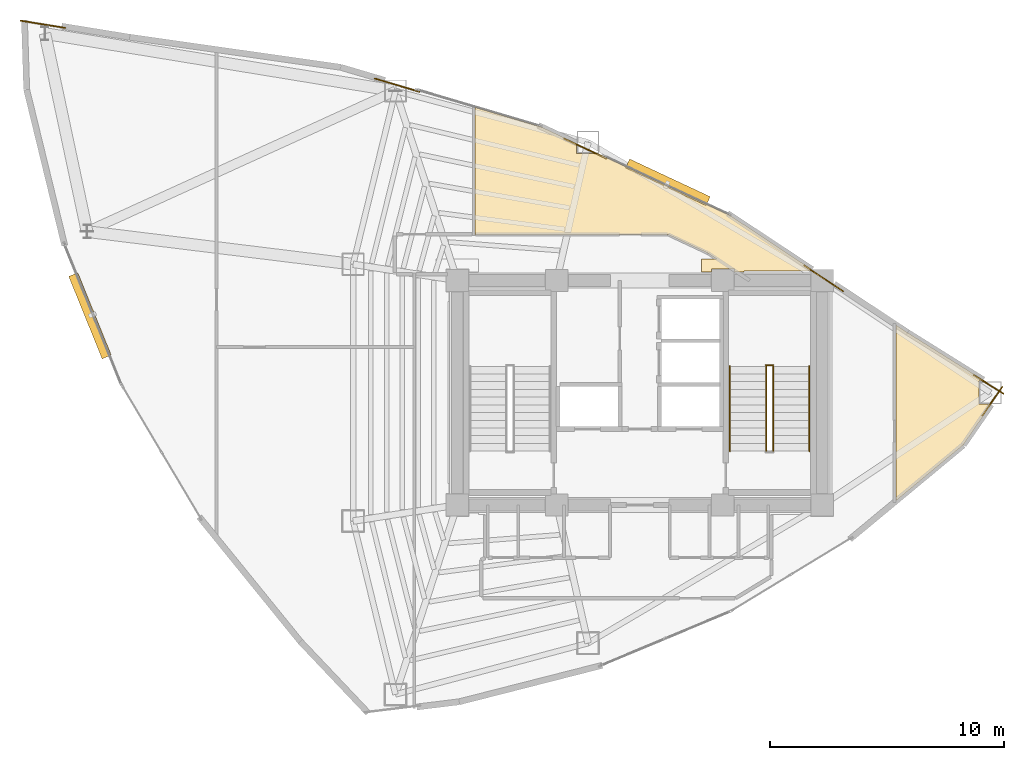
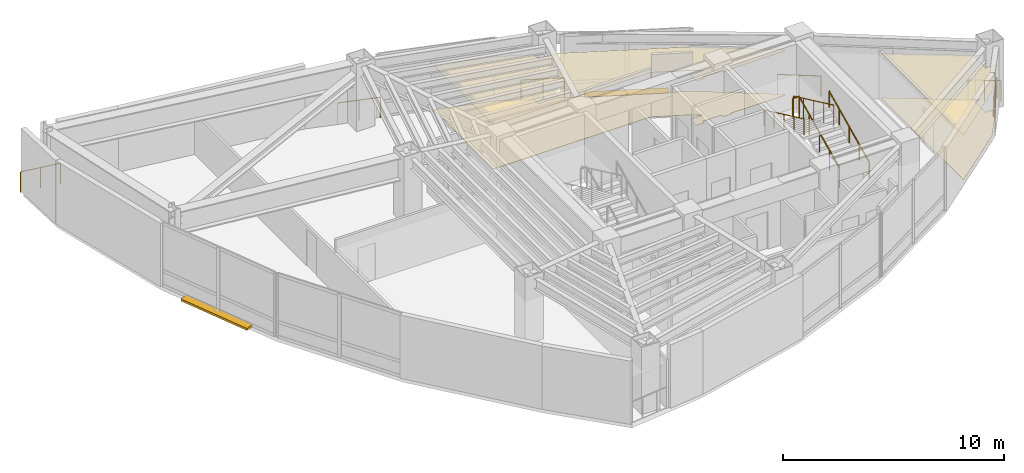
# One storey, part 16 of 16: 11 railings, 4 coverings, 2 shading devices.
"""IFC4 building model written with IfcOpenShell, lengths in metres."""

from ifc_helpers import new_model, si_unit, direction, frame, origin, origin_2d, place, context, subcontext, project, spatial, polyline, rectangle, circle, outline, extrude, material, layer, layer_set, type_object, element, save


model = new_model("IFC4")

# Units and contexts
model_context = context("Model", 3, precision=1e-05, world=origin(), true_north=direction((0.0, 1.0)))
body_context = subcontext(model_context, "Body", "Model", "MODEL_VIEW")
ifc_project = project(units=[si_unit("LENGTHUNIT", "METRE"), si_unit("AREAUNIT", "SQUARE_METRE"), si_unit("VOLUMEUNIT", "CUBIC_METRE"), si_unit("PLANEANGLEUNIT", "RADIAN"), si_unit("MASSUNIT", "GRAM", prefix="KILO")], contexts=[model_context])

# Site, building, storey
site_placement = place(None, origin())
site = spatial("IfcSite", under=ifc_project, at=site_placement, CompositionType="ELEMENT")
building_placement = place(site_placement, origin())
building = spatial("IfcBuilding", under=site, at=building_placement, Name="Menara Vayukalpa", CompositionType="ELEMENT")
storey_placement = place(building_placement, frame((0.0, 0.0, 195.239990234375)))
storey = spatial("IfcBuildingStorey", under=building, at=storey_placement, Name="L49", CompositionType="ELEMENT", Elevation=195.239990234375)

# Coverings
ifc_material_1 = material(Name="Mineral Fibre Acoustic Ceiling Tile", Category="masonry")
ifc_layer_1 = layer(ifc_material_1, 0.02490234375)
ifc_layer_set_1 = layer_set([ifc_layer_1], Name="Mineral Fibre Acoustic Ceiling Tile")
covering_type_1 = type_object("IfcCoveringType", Name="COV-CLG1", PredefinedType="CEILING", material=ifc_layer_set_1)
covering_1_placement = place(storey_placement, frame((0.0, 0.0, 2.449951171875)))
element("IfcCovering", 1, at=covering_1_placement, inside=storey, type_object=covering_type_1, Name="L49 Corporate Training Classroom Acoustic Ceiling", PredefinedType="CEILING", context=body_context, shape_type="SweptSolid", body=[
    extrude(outline(polyline([(37.04345703125, 24.5693359375), (40.373779296875, 22.489990234375), (40.1005859375, 22.489990234375), (40.1005859375, 21.510009765625), (40.635009765625, 21.510009765625), (39.4326171875, 19.765869140625), (39.431884765625, 19.76513671875), (39.431396484375, 19.764404296875), (39.4306640625, 19.763916015625), (36.576416015625, 17.396728515625), (36.57568359375, 17.396240234375), (36.57470703125, 17.395751953125), (36.573974609375, 17.395263671875), (36.572998046875, 17.39501953125), (36.572021484375, 17.394775390625), (36.571044921875, 17.39453125), (36.570068359375, 17.39453125), (36.569091796875, 17.39453125), (36.568115234375, 17.394775390625), (36.567138671875, 17.39501953125), (36.566162109375, 17.395263671875), (36.565185546875, 17.395751953125), (36.564453125, 17.396240234375), (36.563720703125, 17.396728515625), (36.56298828125, 17.3974609375), (36.562255859375, 17.398193359375), (36.561767578125, 17.39892578125), (36.561279296875, 17.39990234375), (36.560791015625, 17.400634765625), (36.560302734375, 17.401611328125), (36.560302734375, 17.402587890625), (36.56005859375, 17.403564453125), (36.56005859375, 17.404541015625), (36.56005859375, 24.870361328125), (36.56005859375, 24.871337890625), (36.560302734375, 24.872314453125), (36.560302734375, 24.873291015625), (36.560791015625, 24.8740234375), (36.561279296875, 24.875), (36.561767578125, 24.875732421875), (36.562255859375, 24.876708984375), (36.56298828125, 24.87744140625), (36.563720703125, 24.8779296875), (36.564453125, 24.878662109375), (36.565185546875, 24.879150390625), (36.566162109375, 24.87939453125), (36.567138671875, 24.8798828125), (36.568115234375, 24.880126953125), (36.569091796875, 24.880126953125), (36.570068359375, 24.88037109375), (36.57080078125, 24.88037109375), (36.572021484375, 24.880126953125), (36.572998046875, 24.8798828125), (36.57373046875, 24.879638671875), (36.57470703125, 24.879150390625), (36.575439453125, 24.878662109375), (37.04296875, 24.569580078125), (37.04345703125, 24.5693359375), (37.04345703125, 24.5693359375)])), origin(), (0.0, 0.0, 1.0), 0.025146484375),
])
covering_2_placement = place(storey_placement, frame((0.0, 0.0, 2.449951171875)))
element("IfcCovering", 2, at=covering_2_placement, inside=storey, type_object=covering_type_1, Name="L49 Executive Boardroom Acoustic Ceiling", PredefinedType="CEILING", context=body_context, shape_type="SweptSolid", body=[
    extrude(outline(polyline([(28.525390625, 27.95751953125), (28.515869140625, 27.962890625), (26.80517578125, 28.76318359375), (26.7978515625, 28.76611328125), (26.79052734375, 28.768310546875), (26.782958984375, 28.76953125), (26.77490234375, 28.77001953125), (18.570068359375, 28.77001953125), (18.569091796875, 28.77001953125), (18.568115234375, 28.770263671875), (18.567138671875, 28.7705078125), (18.566162109375, 28.770751953125), (18.565185546875, 28.771240234375), (18.564453125, 28.771728515625), (18.563720703125, 28.772216796875), (18.56298828125, 28.77294921875), (18.562255859375, 28.773681640625), (18.561767578125, 28.7744140625), (18.561279296875, 28.775390625), (18.560791015625, 28.776123046875), (18.560302734375, 28.777099609375), (18.560302734375, 28.778076171875), (18.56005859375, 28.779052734375), (18.56005859375, 28.780029296875), (18.56005859375, 34.19091796875), (18.56005859375, 34.19189453125), (18.560302734375, 34.19287109375), (18.560302734375, 34.19384765625), (18.560791015625, 34.194580078125), (18.561279296875, 34.195556640625), (18.561767578125, 34.1962890625), (18.562255859375, 34.197265625), (18.56298828125, 34.197998046875), (18.563720703125, 34.198486328125), (18.564453125, 34.19921875), (18.565185546875, 34.19970703125), (18.566162109375, 34.2001953125), (18.567138671875, 34.200439453125), (18.568115234375, 34.20068359375), (18.569091796875, 34.20068359375), (18.56982421875, 34.200927734375), (18.57080078125, 34.200927734375), (18.572021484375, 34.20068359375), (18.57275390625, 34.200439453125), (21.35888671875, 33.37548828125), (21.359619140625, 33.375244140625), (21.3603515625, 33.375), (22.8994140625, 32.655029296875), (22.8994140625, 32.218505859375), (23.83251953125, 32.218505859375), (29.43701171875, 29.5966796875), (29.438232421875, 29.595947265625), (32.927001953125, 27.2900390625), (32.909912109375, 27.2900390625), (32.909912109375, 27.2099609375), (30.06005859375, 27.2099609375), (30.06005859375, 27.14990234375), (29.639892578125, 27.14990234375), (29.639892578125, 27.2900390625), (28.659912109375, 27.2900390625), (28.659912109375, 27.14990234375), (28.239990234375, 27.14990234375), (28.239990234375, 27.7099609375), (28.900146484375, 27.7099609375), (28.525390625, 27.95751953125)])), origin(), (0.0, 0.0, 1.0), 0.025146484375),
])
ifc_material_2 = material(Name="Porcelain Stoneware Floor Tile", Category="masonry")
ifc_layer_2 = layer(ifc_material_2, 0.02001953125)
ifc_layer_set_2 = layer_set([ifc_layer_2], Name="Porcelain Stoneware Floor Tile")
covering_type_2 = type_object("IfcCoveringType", Name="COV-FLR1", PredefinedType="FLOORING", material=ifc_layer_set_2)
covering_3_placement = place(storey_placement, origin())
element("IfcCovering", 3, at=covering_3_placement, inside=storey, type_object=covering_type_2, Name="L49 Corporate Training Classroom Porcelain Flooring", PredefinedType="FLOORING", context=body_context, shape_type="SweptSolid", body=[
    extrude(outline(polyline([(37.04345703125, 24.5693359375), (40.373779296875, 22.489990234375), (40.1005859375, 22.489990234375), (40.1005859375, 21.510009765625), (40.635009765625, 21.510009765625), (39.4326171875, 19.765869140625), (39.431884765625, 19.76513671875), (39.431396484375, 19.764404296875), (39.4306640625, 19.763916015625), (36.576416015625, 17.396728515625), (36.57568359375, 17.396240234375), (36.57470703125, 17.395751953125), (36.573974609375, 17.395263671875), (36.572998046875, 17.39501953125), (36.572021484375, 17.394775390625), (36.571044921875, 17.39453125), (36.570068359375, 17.39453125), (36.569091796875, 17.39453125), (36.568115234375, 17.394775390625), (36.567138671875, 17.39501953125), (36.566162109375, 17.395263671875), (36.565185546875, 17.395751953125), (36.564453125, 17.396240234375), (36.563720703125, 17.396728515625), (36.56298828125, 17.3974609375), (36.562255859375, 17.398193359375), (36.561767578125, 17.39892578125), (36.561279296875, 17.39990234375), (36.560791015625, 17.400634765625), (36.560302734375, 17.401611328125), (36.560302734375, 17.402587890625), (36.56005859375, 17.403564453125), (36.56005859375, 17.404541015625), (36.56005859375, 24.870361328125), (36.56005859375, 24.871337890625), (36.560302734375, 24.872314453125), (36.560302734375, 24.873291015625), (36.560791015625, 24.8740234375), (36.561279296875, 24.875), (36.561767578125, 24.875732421875), (36.562255859375, 24.876708984375), (36.56298828125, 24.87744140625), (36.563720703125, 24.8779296875), (36.564453125, 24.878662109375), (36.565185546875, 24.879150390625), (36.566162109375, 24.87939453125), (36.567138671875, 24.8798828125), (36.568115234375, 24.880126953125), (36.569091796875, 24.880126953125), (36.570068359375, 24.88037109375), (36.57080078125, 24.88037109375), (36.572021484375, 24.880126953125), (36.572998046875, 24.8798828125), (36.57373046875, 24.879638671875), (36.57470703125, 24.879150390625), (36.575439453125, 24.878662109375), (37.04296875, 24.569580078125), (37.04345703125, 24.5693359375), (37.04345703125, 24.5693359375)])), origin(), (0.0, 0.0, 1.0), 0.02001953125),
])
covering_4_placement = place(storey_placement, origin())
element("IfcCovering", 4, at=covering_4_placement, inside=storey, type_object=covering_type_2, Name="L49 Executive Boardroom Porcelain Flooring", PredefinedType="FLOORING", context=body_context, shape_type="SweptSolid", body=[
    extrude(outline(polyline([(28.525390625, 27.95751953125), (28.515869140625, 27.962890625), (26.80517578125, 28.76318359375), (26.7978515625, 28.76611328125), (26.79052734375, 28.768310546875), (26.782958984375, 28.76953125), (26.77490234375, 28.77001953125), (18.570068359375, 28.77001953125), (18.569091796875, 28.77001953125), (18.568115234375, 28.770263671875), (18.567138671875, 28.7705078125), (18.566162109375, 28.770751953125), (18.565185546875, 28.771240234375), (18.564453125, 28.771728515625), (18.563720703125, 28.772216796875), (18.56298828125, 28.77294921875), (18.562255859375, 28.773681640625), (18.561767578125, 28.7744140625), (18.561279296875, 28.775390625), (18.560791015625, 28.776123046875), (18.560302734375, 28.777099609375), (18.560302734375, 28.778076171875), (18.56005859375, 28.779052734375), (18.56005859375, 28.780029296875), (18.56005859375, 34.19091796875), (18.56005859375, 34.19189453125), (18.560302734375, 34.19287109375), (18.560302734375, 34.19384765625), (18.560791015625, 34.194580078125), (18.561279296875, 34.195556640625), (18.561767578125, 34.1962890625), (18.562255859375, 34.197265625), (18.56298828125, 34.197998046875), (18.563720703125, 34.198486328125), (18.564453125, 34.19921875), (18.565185546875, 34.19970703125), (18.566162109375, 34.2001953125), (18.567138671875, 34.200439453125), (18.568115234375, 34.20068359375), (18.569091796875, 34.20068359375), (18.56982421875, 34.200927734375), (18.57080078125, 34.200927734375), (18.572021484375, 34.20068359375), (18.57275390625, 34.200439453125), (21.35888671875, 33.37548828125), (21.359619140625, 33.375244140625), (21.3603515625, 33.375), (22.8994140625, 32.655029296875), (22.8994140625, 32.218505859375), (23.83251953125, 32.218505859375), (29.43701171875, 29.5966796875), (29.438232421875, 29.595947265625), (32.927001953125, 27.2900390625), (32.909912109375, 27.2900390625), (32.909912109375, 27.2099609375), (30.06005859375, 27.2099609375), (30.06005859375, 27.14990234375), (29.639892578125, 27.14990234375), (29.639892578125, 27.2900390625), (28.659912109375, 27.2900390625), (28.659912109375, 27.14990234375), (28.239990234375, 27.14990234375), (28.239990234375, 27.7099609375), (28.900146484375, 27.7099609375), (28.525390625, 27.95751953125)])), origin(), (0.0, 0.0, 1.0), 0.02001953125),
])

# Railings
ifc_material_3 = material(Name="Laminated Glass and Stainless Steel 316 Guardrail", Category="steel")
railing_type_1 = type_object("IfcRailingType", Name="RLG-EXT115", PredefinedType="GUARDRAIL", material=ifc_material_3)
railing_1_placement = place(storey_placement, frame((40.251953125, 21.02490234375, 0.0)))
element("IfcRailing", 5, at=railing_1_placement, inside=storey, type_object=railing_type_1, Name="L49 Column Corner Spandrel Guardrail 01-1", PredefinedType="GUARDRAIL", context=body_context, shape_type="SweptSolid", body=[
    extrude(circle(Radius=0.02392578125, at=origin_2d()), frame((0.0, 0.0, 1.1259765625), z_axis=(0.56749405819, 0.823377491749, 0.0), x_axis=(-0.823377491749, 0.56749405819, 0.0)), (0.0, 0.0, 1.0), 1.480712890625),
    extrude(circle(Radius=0.02099609375, at=origin_2d()), origin(), (0.0, 0.0, 1.0), 1.101806640625),
    extrude(circle(Radius=0.02099609375, at=origin_2d()), frame((0.420166015625, 0.609619140625, 0.0)), (0.0, 0.0, 1.0), 1.101806640625),
    extrude(circle(Radius=0.02099609375, at=origin_2d()), frame((0.84033203125, 1.21923828125, 0.0)), (0.0, 0.0, 1.0), 1.101806640625),
])
railing_2_placement = place(storey_placement, frame((41.152099609375, 21.956787109375, 0.0)))
element("IfcRailing", 6, at=railing_2_placement, inside=storey, type_object=railing_type_1, Name="L49 Column Corner Spandrel Guardrail 02-1", PredefinedType="GUARDRAIL", context=body_context, shape_type="SweptSolid", body=[
    extrude(circle(Radius=0.02392578125, at=origin_2d()), frame((0.0, 0.0, 1.1259765625), z_axis=(-0.848218505304, 0.529646454968, 0.0), x_axis=(-0.529646454968, -0.848218505304, 0.0)), (0.0, 0.0, 1.0), 1.494384765625),
    extrude(circle(Radius=0.02099609375, at=origin_2d()), origin(), (0.0, 0.0, 1.0), 1.101806640625),
    extrude(circle(Radius=0.02099609375, at=origin_2d()), frame((-0.6337890625, 0.395751953125, 0.0)), (0.0, 0.0, 1.0), 1.101806640625),
    extrude(circle(Radius=0.02099609375, at=origin_2d()), frame((-1.267578125, 0.79150390625, 0.0)), (0.0, 0.0, 1.0), 1.101806640625),
])
railing_3_placement = place(storey_placement, frame((34.289794921875, 26.341552734375, 0.0)))
element("IfcRailing", 7, at=railing_3_placement, inside=storey, type_object=railing_type_1, Name="L49 Column Corner Spandrel Guardrail 03-1", PredefinedType="GUARDRAIL", context=body_context, shape_type="SweptSolid", body=[
    extrude(circle(Radius=0.02392578125, at=origin_2d()), frame((0.0, 0.0, 1.1259765625), z_axis=(-0.83430811617, 0.551298437593, 0.0), x_axis=(-0.551298437593, -0.83430811617, 0.0)), (0.0, 0.0, 1.0), 1.990234375),
    extrude(circle(Radius=0.02099609375, at=origin_2d()), origin(), (0.0, 0.0, 1.0), 1.101806640625),
    extrude(circle(Radius=0.02099609375, at=origin_2d()), frame((-0.830078125, 0.548583984375, 0.0)), (0.0, 0.0, 1.0), 1.101806640625),
    extrude(circle(Radius=0.02099609375, at=origin_2d()), frame((-1.660400390625, 1.09716796875, 0.0)), (0.0, 0.0, 1.0), 1.101806640625),
])
railing_4_placement = place(storey_placement, frame((24.165283203125, 32.018798828125, 0.0)))
element("IfcRailing", 8, at=railing_4_placement, inside=storey, type_object=railing_type_1, Name="L49 Column Corner Spandrel Guardrail 04-1", PredefinedType="GUARDRAIL", context=body_context, shape_type="SweptSolid", body=[
    extrude(circle(Radius=0.02392578125, at=origin_2d()), frame((0.0, 0.0, 1.1259765625), z_axis=(-0.905825491009, 0.423651011845, 0.0), x_axis=(-0.423651011845, -0.905825491009, 0.0)), (0.0, 0.0, 1.0), 1.989990234375),
    extrude(circle(Radius=0.02099609375, at=origin_2d()), origin(), (0.0, 0.0, 1.0), 1.101806640625),
    extrude(circle(Radius=0.02099609375, at=origin_2d()), frame((-0.9013671875, 0.42138671875, 0.0)), (0.0, 0.0, 1.0), 1.101806640625),
    extrude(circle(Radius=0.02099609375, at=origin_2d()), frame((-1.802490234375, 0.843017578125, 0.0)), (0.0, 0.0, 1.0), 1.101806640625),
])
railing_5_placement = place(storey_placement, frame((16.181884765625, 34.86669921875, 0.0)))
element("IfcRailing", 9, at=railing_5_placement, inside=storey, type_object=railing_type_1, Name="L49 Column Corner Spandrel Guardrail 05-1", PredefinedType="GUARDRAIL", context=body_context, shape_type="SweptSolid", body=[
    extrude(circle(Radius=0.02392578125, at=origin_2d()), frame((0.0, 0.0, 1.1259765625), z_axis=(-0.958859970979, 0.28387947452, 0.0), x_axis=(-0.28387947452, -0.958859970979, 0.0)), (0.0, 0.0, 1.0), 1.989990234375),
    extrude(circle(Radius=0.02099609375, at=origin_2d()), origin(), (0.0, 0.0, 1.0), 1.101806640625),
    extrude(circle(Radius=0.02099609375, at=origin_2d()), frame((-0.9541015625, 0.282470703125, 0.0)), (0.0, 0.0, 1.0), 1.101806640625),
    extrude(circle(Radius=0.02099609375, at=origin_2d()), frame((-1.908203125, 0.56494140625, 0.0)), (0.0, 0.0, 1.0), 1.101806640625),
])
railing_6_placement = place(storey_placement, frame((1.029296875, 37.597412109375, 0.0)))
element("IfcRailing", 10, at=railing_6_placement, inside=storey, type_object=railing_type_1, Name="L49 Column Corner Spandrel Guardrail 07-1", PredefinedType="GUARDRAIL", context=body_context, shape_type="SweptSolid", body=[
    extrude(circle(Radius=0.02392578125, at=origin_2d()), frame((0.0, 0.0, 1.1259765625), z_axis=(-0.987131356628, 0.159911490402, 0.0), x_axis=(-0.159911490402, -0.987131356628, 0.0)), (0.0, 0.0, 1.0), 1.932861328125),
    extrude(circle(Radius=0.02099609375, at=origin_2d()), origin(), (0.0, 0.0, 1.0), 1.101806640625),
    extrude(circle(Radius=0.02099609375, at=origin_2d()), frame((-0.9541015625, 0.154541015625, 0.0)), (0.0, 0.0, 1.0), 1.101806640625),
    extrude(circle(Radius=0.02099609375, at=origin_2d()), frame((-1.907958984375, 0.30908203125, 0.0)), (0.0, 0.0, 1.0), 1.101806640625),
])
ifc_material_4 = material(Name="Powder-Coated Galvanised Steel Guardrail", Category="steel")
railing_type_2 = type_object("IfcRailingType", Name="RLG-STG110", PredefinedType="GUARDRAIL", material=ifc_material_4)
railing_7_placement = place(storey_placement, frame((31.300048828125, 19.5, 0.155029296875)))
element("IfcRailing", 11, at=railing_7_placement, inside=storey, type_object=railing_type_2, Name="L49 ST-2 stair guard 1", PredefinedType="GUARDRAIL", context=body_context, shape_type="SweptSolid", body=[
    extrude(circle(Radius=0.02392578125, at=origin_2d()), frame((0.0, 0.0, 1.09619140625), z_axis=(0.0, 0.90511648382, 0.425163675209), x_axis=(-1.0, 0.0, 0.0)), (0.0, 0.0, 1.0), 4.010498046875),
    extrude(circle(Radius=0.02099609375, at=origin_2d()), origin(), (0.0, 0.0, 1.0), 1.072021484375),
    extrude(circle(Radius=0.02099609375, at=origin_2d()), frame((0.0, 0.907470703125, 0.42626953125)), (0.0, 0.0, 1.0), 1.072021484375),
    extrude(circle(Radius=0.02099609375, at=origin_2d()), frame((0.0, 1.81494140625, 0.8525390625)), (0.0, 0.0, 1.0), 1.072021484375),
    extrude(circle(Radius=0.02099609375, at=origin_2d()), frame((0.0, 2.722412109375, 1.27880859375)), (0.0, 0.0, 1.0), 1.072021484375),
    extrude(circle(Radius=0.02099609375, at=origin_2d()), frame((0.0, 3.6298828125, 1.705078125)), (0.0, 0.0, 1.0), 1.072021484375),
])
railing_8_placement = place(storey_placement, frame((31.31005859375, 23.179931640625, 1.860107421875)))
element("IfcRailing", 12, at=railing_8_placement, inside=storey, type_object=railing_type_2, Name="L49 ST-2 stair guard 2", PredefinedType="GUARDRAIL", context=body_context, shape_type="SweptSolid", body=[
    extrude(circle(Radius=0.02392578125, at=origin_2d()), frame((0.0, 0.0, 1.09619140625), z_axis=(-1.0, 0.0, 0.0), x_axis=(0.0, -1.0, 0.0)), (0.0, 0.0, 1.0), 0.320068359375),
    extrude(circle(Radius=0.02099609375, at=origin_2d()), origin(), (0.0, 0.0, 1.0), 1.072021484375),
    extrude(circle(Radius=0.02099609375, at=origin_2d()), frame((-0.320068359375, 0.0, 0.0)), (0.0, 0.0, 1.0), 1.072021484375),
])
railing_9_placement = place(storey_placement, frame((31.0, 23.1298828125, 2.014892578125)))
element("IfcRailing", 13, at=railing_9_placement, inside=storey, type_object=railing_type_2, Name="L49 ST-2 stair guard 3", PredefinedType="GUARDRAIL", context=body_context, shape_type="SweptSolid", body=[
    extrude(circle(Radius=0.02392578125, at=origin_2d()), frame((0.0, 0.0, 1.09619140625), z_axis=(0.0, -0.90511648382, 0.425163675209), x_axis=(1.0, 0.0, 0.0)), (0.0, 0.0, 1.0), 4.010498046875),
    extrude(circle(Radius=0.02099609375, at=origin_2d()), origin(), (0.0, 0.0, 1.0), 1.072021484375),
    extrude(circle(Radius=0.02099609375, at=origin_2d()), frame((0.0, -0.907470703125, 0.42626953125)), (0.0, 0.0, 1.0), 1.072021484375),
    extrude(circle(Radius=0.02099609375, at=origin_2d()), frame((0.0, -1.81494140625, 0.8525390625)), (0.0, 0.0, 1.0), 1.072021484375),
    extrude(circle(Radius=0.02099609375, at=origin_2d()), frame((0.0, -2.722412109375, 1.27880859375)), (0.0, 0.0, 1.0), 1.072021484375),
    extrude(circle(Radius=0.02099609375, at=origin_2d()), frame((0.0, -3.6298828125, 1.705078125)), (0.0, 0.0, 1.0), 1.072021484375),
])
ifc_material_5 = material(Name="Stainless Steel 316 Tubular Handrail", Category="steel")
railing_type_3 = type_object("IfcRailingType", Name="RLG-STH090", PredefinedType="HANDRAIL", material=ifc_material_5)
railing_10_placement = place(storey_placement, frame((32.85009765625, 19.5, 0.155029296875)))
element("IfcRailing", 14, at=railing_10_placement, inside=storey, type_object=railing_type_3, Name="L49 ST-2 stair handrail 1", PredefinedType="HANDRAIL", context=body_context, shape_type="SweptSolid", body=[
    extrude(circle(Radius=0.02392578125, at=origin_2d()), frame((0.0, 0.0, 0.8759765625), z_axis=(0.0, 0.90511648382, 0.425163675209), x_axis=(-1.0, 0.0, 0.0)), (0.0, 0.0, 1.0), 4.010498046875),
    extrude(circle(Radius=0.02099609375, at=origin_2d()), origin(), (0.0, 0.0, 1.0), 0.851806640625),
    extrude(circle(Radius=0.02099609375, at=origin_2d()), frame((0.0, 0.907470703125, 0.42626953125)), (0.0, 0.0, 1.0), 0.851806640625),
    extrude(circle(Radius=0.02099609375, at=origin_2d()), frame((0.0, 1.81494140625, 0.8525390625)), (0.0, 0.0, 1.0), 0.851806640625),
    extrude(circle(Radius=0.02099609375, at=origin_2d()), frame((0.0, 2.722412109375, 1.27880859375)), (0.0, 0.0, 1.0), 0.851806640625),
    extrude(circle(Radius=0.02099609375, at=origin_2d()), frame((0.0, 3.6298828125, 1.705078125)), (0.0, 0.0, 1.0), 0.851806640625),
])
railing_11_placement = place(storey_placement, frame((29.449951171875, 23.1298828125, 2.014892578125)))
element("IfcRailing", 15, at=railing_11_placement, inside=storey, type_object=railing_type_3, Name="L49 ST-2 stair handrail 2", PredefinedType="HANDRAIL", context=body_context, shape_type="SweptSolid", body=[
    extrude(circle(Radius=0.02392578125, at=origin_2d()), frame((0.0, 0.0, 0.8759765625), z_axis=(0.0, -0.90511648382, 0.425163675209), x_axis=(1.0, 0.0, 0.0)), (0.0, 0.0, 1.0), 4.010498046875),
    extrude(circle(Radius=0.02099609375, at=origin_2d()), origin(), (0.0, 0.0, 1.0), 0.851806640625),
    extrude(circle(Radius=0.02099609375, at=origin_2d()), frame((0.0, -0.907470703125, 0.42626953125)), (0.0, 0.0, 1.0), 0.851806640625),
    extrude(circle(Radius=0.02099609375, at=origin_2d()), frame((0.0, -1.81494140625, 0.8525390625)), (0.0, 0.0, 1.0), 0.851806640625),
    extrude(circle(Radius=0.02099609375, at=origin_2d()), frame((0.0, -2.722412109375, 1.27880859375)), (0.0, 0.0, 1.0), 0.851806640625),
    extrude(circle(Radius=0.02099609375, at=origin_2d()), frame((0.0, -3.6298828125, 1.705078125)), (0.0, 0.0, 1.0), 0.851806640625),
])

# Shading devices
ifc_material_6 = material(Name="Glazed Terracotta Ceramic Baguette Extrusion", Category="masonry")
ifc_layer_3 = layer(ifc_material_6, 0.1201171875)
ifc_layer_set_3 = layer_set([ifc_layer_3], Name="Glazed Terracotta Ceramic Baguette Extrusion")
shading_device_type = type_object("IfcShadingDeviceType", Name="SHD-SS1", PredefinedType="USERDEFINED", material=ifc_layer_set_3)
for number, where, z_axis, x_axis, name in (
    (16, (26.80126953125, 30.995361328125, -0.10009765625), (0.0, 0.0, 1.0), (-0.905783389628, 0.423741018871, 0.0), "L49 Horizontal Terracotta Sunshade Band 05"),
    (17, (2.09326171875, 25.2880859375, -0.10009765625), (0.0, 0.0, 1.0), (0.376094891671, -0.926581152657, 0.0), "L49 Horizontal Terracotta Sunshade Band 13"),
):
    element("IfcShadingDevice", number, at=place(storey_placement, frame(where, z_axis=z_axis, x_axis=x_axis)), inside=storey, type_object=shading_device_type, Name=name, ObjectType="SUNSHADE", PredefinedType="USERDEFINED", context=body_context, shape_type="SweptSolid", body=[
        extrude(rectangle(XDim=3.800048828125, YDim=0.419921875, at=origin_2d()), origin(), (0.0, 0.0, 1.0), 0.1201171875),
    ])

save(model, "model.ifc")
